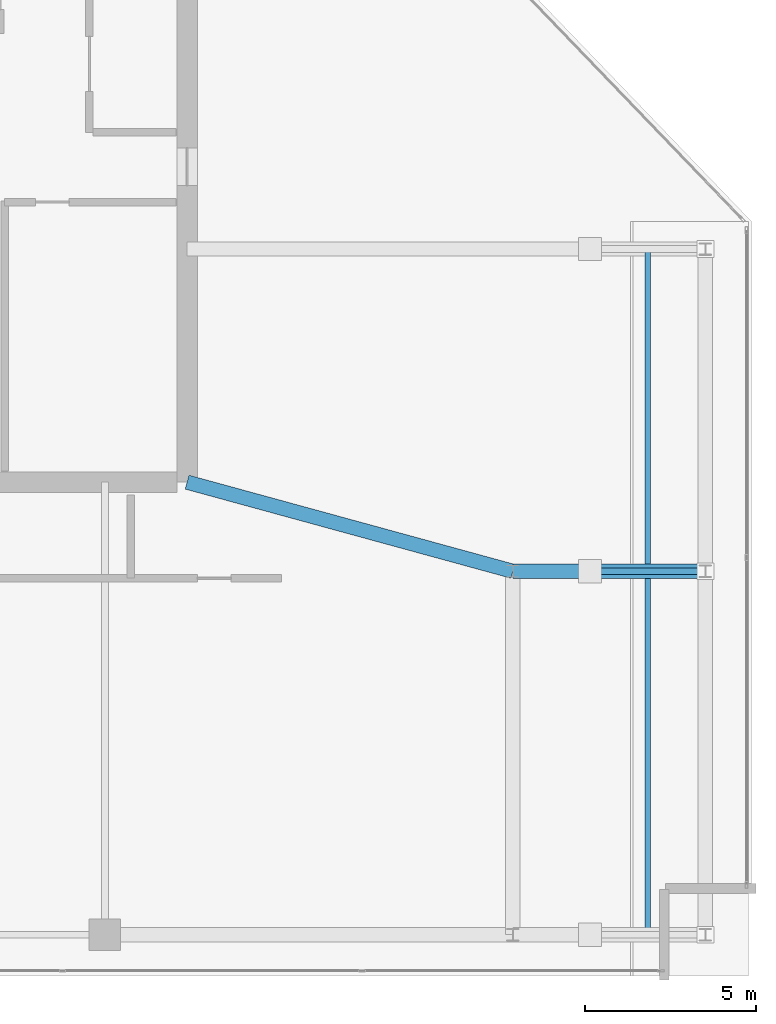
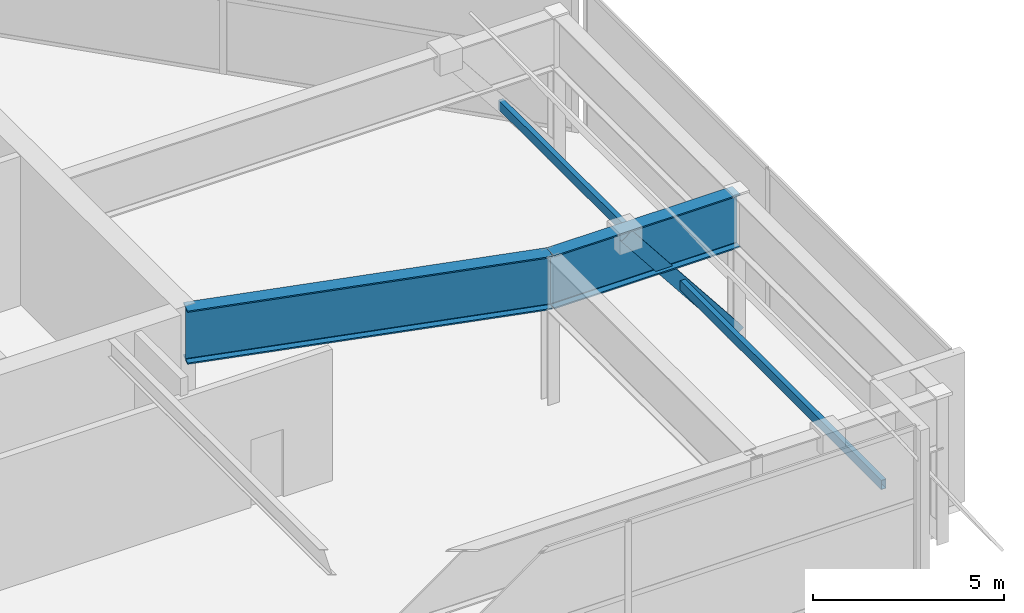
# One storey, part 9 of 22: 3 beams, 1 member.
"""IFC4 building model written with IfcOpenShell, lengths in metres."""

from ifc_helpers import new_model, si_unit, direction, frame, origin, origin_2d, place, context, subcontext, project, spatial, hollow_rectangle, i_section, extrude, material, material_profile, profile_set, type_object, element, save


model = new_model("IFC4")

# Units and contexts
model_context = context("Model", 3, precision=1e-05, world=origin(), true_north=direction((0.0, 1.0)))
body_context = subcontext(model_context, "Body", "Model", "MODEL_VIEW")
ifc_project = project(units=[si_unit("LENGTHUNIT", "METRE"), si_unit("AREAUNIT", "SQUARE_METRE"), si_unit("VOLUMEUNIT", "CUBIC_METRE"), si_unit("PLANEANGLEUNIT", "RADIAN"), si_unit("MASSUNIT", "GRAM", prefix="KILO")], contexts=[model_context])

# Site, building, storey
site_placement = place(None, origin())
site = spatial("IfcSite", under=ifc_project, at=site_placement, CompositionType="ELEMENT")
building_placement = place(site_placement, origin())
building = spatial("IfcBuilding", under=site, at=building_placement, Name="Calvorn Quay Hotel", CompositionType="ELEMENT")
storey_placement = place(building_placement, frame((0.0, 0.0, 325.5)))
storey = spatial("IfcBuildingStorey", under=building, at=storey_placement, Name="L80", CompositionType="ELEMENT", Elevation=325.5)

# Beams
ifc_material_1 = material(Name="Steel Q355B", Category="steel")
ifc_material_profile_1 = material_profile(ifc_material_1, hollow_rectangle(XDim=0.199951171875, YDim=0.39990234375, WallThickness=0.013916015625, at=origin_2d()), Name="RHS400x200x14")
ifc_profile_set_1 = profile_set([ifc_material_profile_1], Name="Steel Q355B")
beam_type_1 = type_object("IfcBeamType", Name="BM-CRN-RAFTER", PredefinedType="BEAM", material=ifc_profile_set_1)
beam_1_placement = place(storey_placement, frame((30.116943359375, 14.199951171875, 0.25), z_axis=(-0.620072794286, 0.0, 0.784544281597), x_axis=(0.0, -1.0, 0.0)))
element("IfcBeam", 1, at=beam_1_placement, inside=storey, type_object=beam_type_1, Name="Crown Raking Rafter L80-2", PredefinedType="BEAM", context=body_context, shape_type="SweptSolid", body=[
    extrude(hollow_rectangle(XDim=0.199951171875, YDim=0.39990234375, WallThickness=0.013916015625, at=origin_2d()), origin(), (0.0, 0.0, 1.0), 5.429931640625),
])
ifc_material_2 = material(Name="Steel Q420GJC", Category="steel")
ifc_material_profile_2 = material_profile(ifc_material_2, i_section(OverallWidth=0.419921875, OverallDepth=1.699951171875, WebThickness=0.02392578125, FlangeThickness=0.0419921875, FilletRadius=0.02392578125, at=origin_2d()), Name="HN1700x420x24x42")
ifc_profile_set_2 = profile_set([ifc_material_profile_2], Name="Steel Q420GJC")
beam_type_2 = type_object("IfcBeamType", Name="BM-XFER-SAWTOOTH", PredefinedType="BEAM", material=ifc_profile_set_2)
beam_2_placement = place(storey_placement, frame((15.0, 16.800048828125, 3.889892578125), z_axis=(0.964526615642, -0.263985620286, 0.0), x_axis=(0.263985620286, 0.964526615642, 0.0)))
element("IfcBeam", 2, at=beam_2_placement, inside=storey, type_object=beam_type_2, Name="Beam BTG-L80-C-CR2A", PredefinedType="BEAM", context=body_context, shape_type="SweptSolid", body=[
    extrude(i_section(OverallWidth=0.419921875, OverallDepth=1.699951171875, WebThickness=0.02392578125, FlangeThickness=0.0419921875, FilletRadius=0.02392578125, at=origin_2d()), origin(), (0.0, 0.0, 1.0), 9.849365234375),
])
beam_3_placement = place(storey_placement, frame((24.5, 14.199951171875, 3.889892578125), z_axis=(1.0, 0.0, 0.0), x_axis=(0.0, 1.0, 0.0)))
element("IfcBeam", 3, at=beam_3_placement, inside=storey, type_object=beam_type_2, Name="Beam BTG-L80-C-CR2B", PredefinedType="BEAM", context=body_context, shape_type="SweptSolid", body=[
    extrude(i_section(OverallWidth=0.419921875, OverallDepth=1.699951171875, WebThickness=0.02392578125, FlangeThickness=0.0419921875, FilletRadius=0.02392578125, at=origin_2d()), origin(), (0.0, 0.0, 1.0), 5.616943359375),
])

# Member
ifc_material_3 = material(Name="Steel Q355B", Category="steel")
ifc_material_profile_3 = material_profile(ifc_material_3, hollow_rectangle(XDim=0.14990234375, YDim=0.300048828125, WallThickness=0.010009765625, at=origin_2d()), Name="RHS300x150x10")
ifc_profile_set_3 = profile_set([ifc_material_profile_3], Name="Steel Q355B")
member_type = type_object("IfcMemberType", Name="MEM-CRN-PURLIN1", PredefinedType="PURLIN", material=ifc_profile_set_3)
member_placement = place(storey_placement, frame((28.43408203125, 3.60009765625, 2.3798828125), z_axis=(0.0, 1.0, 0.0), x_axis=(-1.0, 0.0, 0.0)))
element("IfcMember", 4, at=member_placement, inside=storey, type_object=member_type, Name="Crown Slanted Purlin L80-1", PredefinedType="PURLIN", context=body_context, shape_type="SweptSolid", body=[
    extrude(hollow_rectangle(XDim=0.14990234375, YDim=0.300048828125, WallThickness=0.010009765625, at=origin_2d()), origin(), (0.0, 0.0, 1.0), 20.0),
])

save(model, "model.ifc")
